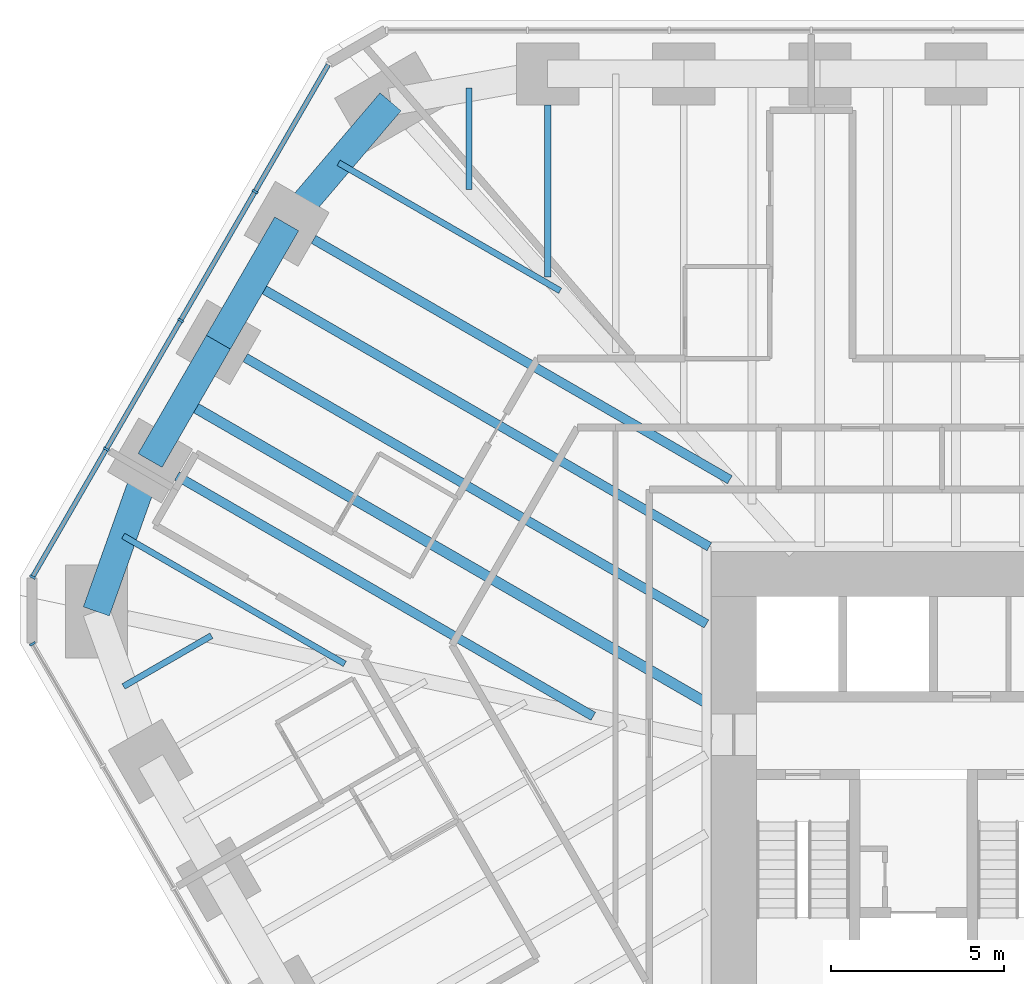
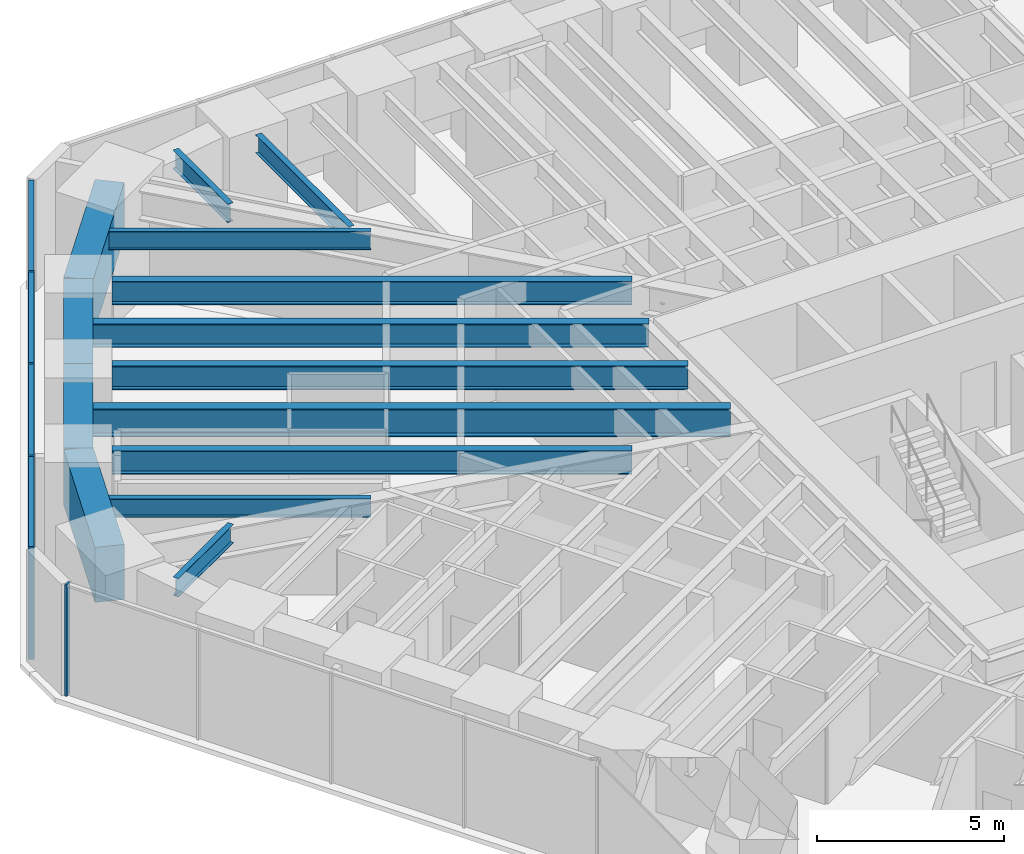
# One storey, part 7 of 16: 14 beams, 9 members, 2 elements without a shape of their own.
"""IFC4 building model written with IfcOpenShell, lengths in metres."""

import ifcopenshell
import ifcopenshell.guid

model = None  # the IFC model being written
_history = None  # IfcOwnerHistory: only IFC2X3 demands one
_inside = {}  # id of a spatial element -> (the spatial element, [elements in it])
_under = {}  # id of a project, library or spatial element -> (it, [spatial elements below it])
_declared = {}  # id of a project -> (the project, [libraries it declares])
_typed = {}  # id of a type object -> (the type object, [elements of that type])
_made_of = {}  # id of a material, layer set ... -> (it, [elements and type objects made of it])


def new_model(schema):
    """Start an empty IFC model of exactly this schema.

    Asked for "IFC4X3", IfcOpenShell would pick the latest addendum, in which some entities
    have other attributes; the version numbers below select the first issue.
    IFC2X3 requires an IfcOwnerHistory on every rooted entity: one is made here for all.
    """
    global model, _history
    if schema == "IFC4X3":
        model = ifcopenshell.file(schema_version=(4, 3, 0, 0))
    else:
        model = ifcopenshell.file(schema=schema)
    _inside.clear()
    _under.clear()
    _declared.clear()
    _typed.clear()
    _made_of.clear()
    _history = None
    if model.schema == "IFC2X3":
        org = make("IfcOrganization", Name="unknown")
        user = make(
            "IfcPersonAndOrganization",
            ThePerson=make("IfcPerson", FamilyName="unknown"),
            TheOrganization=org,
        )
        app = make(
            "IfcApplication",
            ApplicationDeveloper=org,
            Version="unknown",
            ApplicationFullName="unknown",
            ApplicationIdentifier="unknown",
        )
        _history = make(
            "IfcOwnerHistory",
            OwningUser=user,
            OwningApplication=app,
            ChangeAction="ADDED",
            CreationDate=0,
        )
    return model


def make(cls, **values):
    """One entity of the class cls with the attributes given. An attribute that is None is left unset."""
    return model.create_entity(
        cls, **{name: value for name, value in values.items() if value is not None}
    )


def rooted(cls, **values):
    """An entity with a GlobalId (a new one), such as an element, a storey or a relation."""
    return make(cls, GlobalId=ifcopenshell.guid.new(), OwnerHistory=_history, **values)


def si_unit(unit_type, name, prefix=None):
    """IfcSIUnit, for example si_unit("LENGTHUNIT", "METRE", prefix="MILLI")."""
    return make("IfcSIUnit", UnitType=unit_type, Prefix=prefix, Name=name)


def assignment(units):
    """IfcUnitAssignment: the units of a project."""
    return None if units is None else make("IfcUnitAssignment", Units=units)


def point(xyz):
    """IfcCartesianPoint."""
    return None if xyz is None else make("IfcCartesianPoint", Coordinates=xyz)


def direction(xyz):
    """IfcDirection."""
    return None if xyz is None else make("IfcDirection", DirectionRatios=xyz)


def frame(location, z_axis=None, x_axis=None):
    """IfcAxis2Placement3D, a coordinate frame: its origin and axes. An axis left out is left unset."""
    return make(
        "IfcAxis2Placement3D",
        Location=point(location),
        Axis=direction(z_axis),
        RefDirection=direction(x_axis),
    )


def frame_2d(location, x_axis=None):
    """IfcAxis2Placement2D, a coordinate frame in the plane: its origin and x axis."""
    return make(
        "IfcAxis2Placement2D", Location=point(location), RefDirection=direction(x_axis)
    )


def origin():
    """The frame at (0, 0, 0) with its axes left unset."""
    return frame((0.0, 0.0, 0.0))


def origin_2d():
    """The frame at (0, 0) in the plane with its x axis left unset."""
    return frame_2d((0.0, 0.0))


def place(relative_to, where):
    """IfcLocalPlacement: puts the frame where relative to a parent placement (None: the world)."""
    return make(
        "IfcLocalPlacement", PlacementRelTo=relative_to, RelativePlacement=where
    )


def context(
    kind, dimensions, precision=None, world=None, true_north=None, identifier=None
):
    """IfcGeometricRepresentationContext, for example the 3D "Model" context."""
    return make(
        "IfcGeometricRepresentationContext",
        ContextIdentifier=identifier,
        ContextType=kind,
        CoordinateSpaceDimension=dimensions,
        Precision=precision,
        WorldCoordinateSystem=world,
        TrueNorth=true_north,
    )


def subcontext(parent, identifier, kind, view, scale=None):
    """IfcGeometricRepresentationSubContext, for example "Body" below "Model"."""
    return make(
        "IfcGeometricRepresentationSubContext",
        ContextIdentifier=identifier,
        ContextType=kind,
        ParentContext=parent,
        TargetScale=scale,
        TargetView=view,
    )


def project(units=None, contexts=None):
    """IfcProject with its units and contexts."""
    return rooted(
        "IfcProject",
        Name="project",
        RepresentationContexts=contexts,
        UnitsInContext=assignment(units),
    )


def spatial(cls, under=None, at=None, **own):
    """A site, building, storey or space (cls), placed at a placement, below another one or the project."""
    s = rooted(cls, ObjectPlacement=at, **own)
    if under is not None:
        _under.setdefault(under.id(), (under, []))[1].append(s)
    return s


def profile(cls, at=None, kind="AREA", **sizes):
    """A parametric profile (cls). Its sizes go by their IFC names, for example OverallWidth=200.0."""
    return make(cls, ProfileType=kind, Position=at, **sizes)


def rectangle(**sizes):
    """IfcRectangleProfileDef."""
    return profile("IfcRectangleProfileDef", **sizes)


def i_section(**sizes):
    """IfcIShapeProfileDef."""
    return profile("IfcIShapeProfileDef", **sizes)


def extrude(swept, where, along, depth):
    """IfcExtrudedAreaSolid: the profile swept, set in the frame where, extruded along a direction by depth."""
    return make(
        "IfcExtrudedAreaSolid",
        SweptArea=swept,
        Position=where,
        ExtrudedDirection=direction(along),
        Depth=depth,
    )


def shape(context_of_items, identifier, shape_type, items):
    """IfcShapeRepresentation: the items that make up one representation, for example the "Body"."""
    return make(
        "IfcShapeRepresentation",
        ContextOfItems=context_of_items,
        RepresentationIdentifier=identifier,
        RepresentationType=shape_type,
        Items=items,
    )


def material(Name=None, Category=None):
    """IfcMaterial."""
    return make("IfcMaterial", Name=Name, Category=Category)


def material_profile(
    of_material, cross_section, Name=None, Category=None, Priority=None
):
    """IfcMaterialProfile: a cross section and its material."""
    return make(
        "IfcMaterialProfile",
        Name=Name,
        Material=of_material,
        Profile=cross_section,
        Priority=Priority,
        Category=Category,
    )


def profile_set(profiles, Name=None, composite=None):
    """IfcMaterialProfileSet."""
    return make(
        "IfcMaterialProfileSet",
        Name=Name,
        MaterialProfiles=profiles,
        CompositeProfile=composite,
    )


def made_of(thing, what):
    """Note that an element or type object is made of a material, layer set ...; save() writes the relation."""
    if what is not None:
        _made_of.setdefault(what.id(), (what, []))[1].append(thing)
    return thing


def type_object(cls, material=None, **own):
    """A type object (cls), such as IfcWallType, which elements share."""
    return made_of(rooted(cls, **own), material)


def element(
    cls,
    number,
    at=None,
    inside=None,
    cuts=None,
    type_object=None,
    material=None,
    context=None,
    identifier="Body",
    shape_type=None,
    held_by="IfcProductDefinitionShape",
    body=None,
    shapes=None,
    **own,
):
    """One element of the class cls, such as IfcWall. Its Tag is "e" and its number.

    at: its placement. inside: the storey or other place that contains it. cuts: it is an
    opening in that element (IfcRelVoidsElement). A single representation is given by context,
    identifier, shape_type and body (its items); several are given by shapes. held_by: the class
    of the entity that holds the representations. save() writes the other relations.
    """
    e = rooted(cls, Tag="e%d" % number, ObjectPlacement=at, **own)
    if body is not None:
        shapes = [shape(context, identifier, shape_type, body)]
    if shapes is not None:
        e.Representation = make(held_by, Representations=shapes)
    if inside is not None:
        _inside.setdefault(inside.id(), (inside, []))[1].append(e)
    if cuts is not None:
        rooted(
            "IfcRelVoidsElement", RelatingBuildingElement=cuts, RelatedOpeningElement=e
        )
    if type_object is not None:
        _typed.setdefault(type_object.id(), (type_object, []))[1].append(e)
    return made_of(e, material)


def aggregate(whole, parts):
    """IfcRelAggregates: a whole, such as a stair, and the parts it consists of."""
    return rooted("IfcRelAggregates", RelatingObject=whole, RelatedObjects=parts)


def save(model, path):
    """Write the relations noted so far, then the file.

    IfcRelAggregates (storeys below a building ...), IfcRelContainedInSpatialStructure (elements
    in a storey), IfcRelDefinesByType, IfcRelAssociatesMaterial and IfcRelDeclares: one each for
    every whole, place, type object, material and project.
    """
    for whole, parts in _under.values():
        aggregate(whole, parts)
    for where, things in _inside.values():
        rooted(
            "IfcRelContainedInSpatialStructure",
            RelatedElements=things,
            RelatingStructure=where,
        )
    for kind, things in _typed.values():
        rooted("IfcRelDefinesByType", RelatedObjects=things, RelatingType=kind)
    for what, things in _made_of.values():
        rooted("IfcRelAssociatesMaterial", RelatedObjects=things, RelatingMaterial=what)
    for by, libraries in _declared.values():
        rooted("IfcRelDeclares", RelatingContext=by, RelatedDefinitions=libraries)
    model.write(path)


model = new_model("IFC4")

# Units and contexts
model_context = context("Model", 3, precision=1e-05, world=origin(), true_north=direction((0.0, 1.0)))
body_context = subcontext(model_context, "Body", "Model", "MODEL_VIEW")
ifc_project = project(units=[si_unit("LENGTHUNIT", "METRE"), si_unit("AREAUNIT", "SQUARE_METRE"), si_unit("VOLUMEUNIT", "CUBIC_METRE"), si_unit("PLANEANGLEUNIT", "RADIAN"), si_unit("MASSUNIT", "GRAM", prefix="KILO")], contexts=[model_context])

# Site, building, storey
site_placement = place(None, origin())
site = spatial("IfcSite", under=ifc_project, at=site_placement, CompositionType="ELEMENT")
building_placement = place(site_placement, origin())
building = spatial("IfcBuilding", under=site, at=building_placement, Name="Sandreach Pilgrim Tower", CompositionType="ELEMENT")
storey_placement = place(building_placement, frame((0.0, 0.0, 115.800048828125)))
storey = spatial("IfcBuildingStorey", under=building, at=storey_placement, Name="L28", CompositionType="ELEMENT", Elevation=115.800048828125)

# Curtain wall, member
ifc_material_1 = material(Name="Aluminium framed curtain wall", Category="aluminium")
curtain_wall_type = type_object("IfcCurtainWallType", Name="Hotel tower curtain wall", PredefinedType="NOTDEFINED", material=ifc_material_1)
curtain_wall_1_placement = place(storey_placement, origin())
curtain_wall_1 = element("IfcCurtainWall", 1, at=curtain_wall_1_placement, inside=storey, type_object=curtain_wall_type, Name="CW-2 L28 SW", PredefinedType="NOTDEFINED")
ifc_material_2 = material(Name="Aluminium extrusion", Category="aluminium")
ifc_material_profile_1 = material_profile(ifc_material_2, rectangle(XDim=0.06494140625, YDim=0.179931640625, at=origin_2d()), Name="CW-2M 65X180")
ifc_profile_set_1 = profile_set([ifc_material_profile_1], Name="Aluminium extrusion")
member_type_1 = type_object("IfcMemberType", Name="CW-2 mullion", PredefinedType="MULLION", material=ifc_profile_set_1)
member_1_placement = place(storey_placement, frame((-28.70458984375, 4.730224609375, 0.0), z_axis=(0.0, 0.0, 1.0), x_axis=(-0.5, 0.866025403784, 0.0)))
member_1 = element("IfcMember", 2, at=member_1_placement, type_object=member_type_1, Name="CW-2 mullion 10", PredefinedType="MULLION", context=body_context, shape_type="SweptSolid", body=[
    extrude(rectangle(XDim=0.06494140625, YDim=0.179931640625, at=origin_2d()), origin(), (0.0, 0.0, 1.0), 3.639892578125),
])
aggregate(curtain_wall_1, [member_1])

# Curtain wall, members
curtain_wall_2_placement = place(storey_placement, origin())
curtain_wall_2 = element("IfcCurtainWall", 3, at=curtain_wall_2_placement, inside=storey, type_object=curtain_wall_type, Name="CW-2 L28 NW", PredefinedType="NOTDEFINED")
member_2_placement = place(storey_placement, frame((-28.70458984375, 6.66650390625, 0.0), z_axis=(0.0, 0.0, 1.0), x_axis=(0.5, 0.866025403784, 0.0)))
member_2 = element("IfcMember", 4, at=member_2_placement, type_object=member_type_1, Name="CW-2 mullion 1", PredefinedType="MULLION", context=body_context, shape_type="SweptSolid", body=[
    extrude(rectangle(XDim=0.06494140625, YDim=0.179931640625, at=origin_2d()), origin(), (0.0, 0.0, 1.0), 3.639892578125),
])
member_3_placement = place(storey_placement, frame((-26.568115234375, 10.3671875, 0.0), z_axis=(0.0, 0.0, 1.0), x_axis=(0.5, 0.866025403784, 0.0)))
member_3 = element("IfcMember", 5, at=member_3_placement, type_object=member_type_1, Name="CW-2 mullion 2", PredefinedType="MULLION", context=body_context, shape_type="SweptSolid", body=[
    extrude(rectangle(XDim=0.06494140625, YDim=0.179931640625, at=origin_2d()), origin(), (0.0, 0.0, 1.0), 3.639892578125),
])
member_4_placement = place(storey_placement, frame((-24.415283203125, 14.09619140625, 0.0), z_axis=(0.0, 0.0, 1.0), x_axis=(0.5, 0.866025403784, 0.0)))
member_4 = element("IfcMember", 6, at=member_4_placement, type_object=member_type_1, Name="CW-2 mullion 3", PredefinedType="MULLION", context=body_context, shape_type="SweptSolid", body=[
    extrude(rectangle(XDim=0.06494140625, YDim=0.179931640625, at=origin_2d()), origin(), (0.0, 0.0, 1.0), 3.639892578125),
])
member_5_placement = place(storey_placement, frame((-22.262451171875, 17.824951171875, 0.0), z_axis=(0.0, 0.0, 1.0), x_axis=(0.5, 0.866025403784, 0.0)))
member_5 = element("IfcMember", 7, at=member_5_placement, type_object=member_type_1, Name="CW-2 mullion 4", PredefinedType="MULLION", context=body_context, shape_type="SweptSolid", body=[
    extrude(rectangle(XDim=0.06494140625, YDim=0.179931640625, at=origin_2d()), origin(), (0.0, 0.0, 1.0), 3.639892578125),
])
ifc_material_3 = material(Name="Aluminium extrusion", Category="aluminium")
ifc_material_profile_2 = material_profile(ifc_material_3, rectangle(XDim=0.139892578125, YDim=0.070068359375, at=origin_2d()), Name="CW-2T 140X70")
ifc_profile_set_2 = profile_set([ifc_material_profile_2], Name="Aluminium extrusion")
member_type_2 = type_object("IfcMemberType", Name="CW-2 transom", PredefinedType="USERDEFINED", material=ifc_profile_set_2)
member_6_placement = place(storey_placement, frame((-28.6884765625, 6.69482421875, 3.60498046875), z_axis=(0.500038835258, 0.866002981077, 0.0), x_axis=(-0.866002981077, 0.500038835258, 0.0)))
member_6 = element("IfcMember", 8, at=member_6_placement, type_object=member_type_2, Name="CW-2 head transom 1", ObjectType="TRANSOM", PredefinedType="USERDEFINED", context=body_context, shape_type="SweptSolid", body=[
    extrude(rectangle(XDim=0.139892578125, YDim=0.070068359375, at=origin_2d()), origin(), (0.0, 0.0, 1.0), 4.208251953125),
])
member_7_placement = place(storey_placement, frame((-26.5517578125, 10.3955078125, 3.60498046875), z_axis=(0.500021471012, 0.866013007135, 0.0), x_axis=(-0.866013007135, 0.500021471012, 0.0)))
member_7 = element("IfcMember", 9, at=member_7_placement, type_object=member_type_2, Name="CW-2 head transom 2", ObjectType="TRANSOM", PredefinedType="USERDEFINED", context=body_context, shape_type="SweptSolid", body=[
    extrude(rectangle(XDim=0.139892578125, YDim=0.070068359375, at=origin_2d()), origin(), (0.0, 0.0, 1.0), 4.240478515625),
])
member_8_placement = place(storey_placement, frame((-24.39892578125, 14.124267578125, 3.60498046875), z_axis=(0.499996541496, 0.866027400544, 0.0), x_axis=(-0.866027400544, 0.499996541496, 0.0)))
member_8 = element("IfcMember", 10, at=member_8_placement, type_object=member_type_2, Name="CW-2 head transom 3", ObjectType="TRANSOM", PredefinedType="USERDEFINED", context=body_context, shape_type="SweptSolid", body=[
    extrude(rectangle(XDim=0.139892578125, YDim=0.070068359375, at=origin_2d()), origin(), (0.0, 0.0, 1.0), 4.24072265625),
])
member_9_placement = place(storey_placement, frame((-22.24609375, 17.85302734375, 3.60498046875), z_axis=(0.49997020258, 0.86604260665, 0.0), x_axis=(-0.86604260665, 0.49997020258, 0.0)))
member_9 = element("IfcMember", 11, at=member_9_placement, type_object=member_type_2, Name="CW-2 head transom 4", ObjectType="TRANSOM", PredefinedType="USERDEFINED", context=body_context, shape_type="SweptSolid", body=[
    extrude(rectangle(XDim=0.139892578125, YDim=0.070068359375, at=origin_2d()), origin(), (0.0, 0.0, 1.0), 4.208251953125),
])
aggregate(curtain_wall_2, [member_2, member_3, member_4, member_5, member_6, member_7, member_8, member_9])

# Beams
ifc_material_4 = material(Name="Steel ASTM A992 Grade 50", Category="steel")
ifc_material_profile_3 = material_profile(ifc_material_4, i_section(OverallWidth=0.1787109375, OverallDepth=0.60205078125, WebThickness=0.010986328125, FlangeThickness=0.014892578125, at=origin_2d()), Name="W24X62")
ifc_profile_set_3 = profile_set([ifc_material_profile_3], Name="Steel ASTM A992 Grade 50")
beam_type_1 = type_object("IfcBeamType", Name="Floor beam W24X62", PredefinedType="BEAM", material=ifc_profile_set_3)
beam_1_placement = place(storey_placement, frame((-13.789794921875, 20.333740234375, 3.3388671875), z_axis=(0.0, -1.0, 0.0), x_axis=(1.0, 0.0, 0.0)))
element("IfcBeam", 12, at=beam_1_placement, inside=storey, type_object=beam_type_1, Name="BM L28 F01", PredefinedType="BEAM", context=body_context, shape_type="SweptSolid", body=[
    extrude(i_section(OverallWidth=0.1787109375, OverallDepth=0.60205078125, WebThickness=0.010986328125, FlangeThickness=0.014892578125, at=origin_2d()), origin(), (0.0, 0.0, 1.0), 4.9765625),
])
beam_2_placement = place(storey_placement, frame((-26.070556640625, 3.498046875, 3.3388671875), z_axis=(0.866051374412, 0.499955014855, 0.0), x_axis=(-0.499955014855, 0.866051374412, 0.0)))
element("IfcBeam", 13, at=beam_2_placement, inside=storey, type_object=beam_type_1, Name="BM L28 FM34", PredefinedType="BEAM", context=body_context, shape_type="SweptSolid", body=[
    extrude(i_section(OverallWidth=0.1787109375, OverallDepth=0.60205078125, WebThickness=0.010986328125, FlangeThickness=0.014892578125, at=origin_2d()), origin(), (0.0, 0.0, 1.0), 2.938232421875),
])
for number, where, z_axis, x_axis, name in (
    (14, (-26.079345703125, 7.855712890625, 3.3388671875), (0.866025875064, -0.499999183719, 0.0), (0.499999183719, 0.866025875064, 0.0), "BM L28 FM35"),
    (15, (-19.8427734375, 18.65771484375, 3.3388671875), (0.866025875064, -0.499999183719, 0.0), (0.499999183719, 0.866025875064, 0.0), "BM L28 FM38"),
):
    element("IfcBeam", number, at=place(storey_placement, frame(where, z_axis=z_axis, x_axis=x_axis)), inside=storey, type_object=beam_type_1, Name=name, PredefinedType="BEAM", context=body_context, shape_type="SweptSolid", body=[
        extrude(i_section(OverallWidth=0.1787109375, OverallDepth=0.60205078125, WebThickness=0.010986328125, FlangeThickness=0.014892578125, at=origin_2d()), origin(), (0.0, 0.0, 1.0), 7.40771484375),
    ])
beam_3_placement = place(storey_placement, frame((-16.064697265625, 20.828857421875, 3.3388671875), z_axis=(0.0, -1.0, 0.0), x_axis=(1.0, 0.0, 0.0)))
element("IfcBeam", 16, at=beam_3_placement, inside=storey, type_object=beam_type_1, Name="BM L28 FM39", PredefinedType="BEAM", context=body_context, shape_type="SweptSolid", body=[
    extrude(i_section(OverallWidth=0.1787109375, OverallDepth=0.60205078125, WebThickness=0.010986328125, FlangeThickness=0.014892578125, at=origin_2d()), origin(), (0.0, 0.0, 1.0), 2.938232421875),
])
ifc_material_5 = material(Name="Steel ASTM A992 Grade 50", Category="steel")
ifc_material_profile_4 = material_profile(ifc_material_5, i_section(OverallWidth=0.2666015625, OverallDepth=0.761962890625, WebThickness=0.014404296875, FlangeThickness=0.021484375, at=origin_2d()), Name="W30X116")
ifc_profile_set_4 = profile_set([ifc_material_profile_4], Name="Steel ASTM A992 Grade 50")
beam_type_2 = type_object("IfcBeamType", Name="Floor beam W30X116", PredefinedType="BEAM", material=ifc_profile_set_4)
beam_4_placement = place(storey_placement, frame((-24.522216796875, 9.5908203125, 3.259033203125), z_axis=(0.866026649588, -0.499997842199, 0.0), x_axis=(0.499997842199, 0.866026649588, 0.0)))
element("IfcBeam", 17, at=beam_4_placement, inside=storey, type_object=beam_type_2, Name="BM L28 F36", PredefinedType="BEAM", context=body_context, shape_type="SweptSolid", body=[
    extrude(i_section(OverallWidth=0.2666015625, OverallDepth=0.761962890625, WebThickness=0.014404296875, FlangeThickness=0.021484375, at=origin_2d()), origin(), (0.0, 0.0, 1.0), 13.91552734375),
])
beam_5_placement = place(storey_placement, frame((-20.56689453125, 16.44140625, 3.259033203125), z_axis=(0.866022263426, -0.500005439221, 0.0), x_axis=(0.500005439221, 0.866022263426, 0.0)))
element("IfcBeam", 18, at=beam_5_placement, inside=storey, type_object=beam_type_2, Name="BM L28 F38", PredefinedType="BEAM", context=body_context, shape_type="SweptSolid", body=[
    extrude(i_section(OverallWidth=0.2666015625, OverallDepth=0.761962890625, WebThickness=0.014404296875, FlangeThickness=0.021484375, at=origin_2d()), origin(), (0.0, 0.0, 1.0), 13.915283203125),
])
ifc_material_6 = material(Name="Steel ASTM A992 Grade 50", Category="steel")
ifc_material_profile_5 = material_profile(ifc_material_6, i_section(OverallWidth=0.2666015625, OverallDepth=0.77978515625, WebThickness=0.0166015625, FlangeThickness=0.030029296875, at=origin_2d()), Name="W30X148")
ifc_profile_set_5 = profile_set([ifc_material_profile_5], Name="Steel ASTM A992 Grade 50")
beam_type_3 = type_object("IfcBeamType", Name="Floor beam W30X148", PredefinedType="BEAM", material=ifc_profile_set_5)
beam_6_placement = place(storey_placement, frame((-22.544677734375, 13.01611328125, 3.25), z_axis=(0.866029203842, -0.49999341805, 0.0), x_axis=(0.49999341805, 0.866029203842, 0.0)))
element("IfcBeam", 19, at=beam_6_placement, inside=storey, type_object=beam_type_3, Name="BM L28 F37", PredefinedType="BEAM", context=body_context, shape_type="SweptSolid", body=[
    extrude(i_section(OverallWidth=0.2666015625, OverallDepth=0.77978515625, WebThickness=0.0166015625, FlangeThickness=0.030029296875, at=origin_2d()), origin(), (0.0, 0.0, 1.0), 15.416748046875),
])
beam_7_placement = place(storey_placement, frame((-22.335205078125, 15.1787109375, 3.25), z_axis=(0.866028773314, -0.499994163758, 0.0), x_axis=(0.499994163758, 0.866028773314, 0.0)))
element("IfcBeam", 20, at=beam_7_placement, inside=storey, type_object=beam_type_3, Name="BM L28 FM37", PredefinedType="BEAM", context=body_context, shape_type="SweptSolid", body=[
    extrude(i_section(OverallWidth=0.2666015625, OverallDepth=0.77978515625, WebThickness=0.0166015625, FlangeThickness=0.030029296875, at=origin_2d()), origin(), (0.0, 0.0, 1.0), 15.270751953125),
])
ifc_material_7 = material(Name="Steel ASTM A992 Grade 50", Category="steel")
ifc_material_profile_6 = material_profile(ifc_material_7, i_section(OverallWidth=0.3046875, OverallDepth=0.914306640625, WebThickness=0.0166015625, FlangeThickness=0.02587890625, at=origin_2d()), Name="W36X160")
ifc_profile_set_6 = profile_set([ifc_material_profile_6], Name="Steel ASTM A992 Grade 50")
beam_type_4 = type_object("IfcBeamType", Name="Floor beam W36X160", PredefinedType="BEAM", material=ifc_profile_set_6)
beam_8_placement = place(storey_placement, frame((-24.312744140625, 11.75341796875, 3.182861328125), z_axis=(0.866023737483, -0.500002886107, 0.0), x_axis=(0.500002886107, 0.866023737483, 0.0)))
element("IfcBeam", 21, at=beam_8_placement, inside=storey, type_object=beam_type_4, Name="BM L28 FM36", PredefinedType="BEAM", context=body_context, shape_type="SweptSolid", body=[
    extrude(i_section(OverallWidth=0.3046875, OverallDepth=0.914306640625, WebThickness=0.0166015625, FlangeThickness=0.02587890625, at=origin_2d()), origin(), (0.0, 0.0, 1.0), 17.45849609375),
])
ifc_material_8 = material(Name="Concrete 10000 psi", Category="concrete")
ifc_material_profile_7 = material_profile(ifc_material_8, rectangle(XDim=0.800048828125, YDim=1.800048828125, at=origin_2d()), Name="RC800X1800")
ifc_profile_set_7 = profile_set([ifc_material_profile_7], Name="Concrete 10000 psi")
beam_type_5 = type_object("IfcBeamType", Name="Spandrel beam RC800X1800", PredefinedType="SPANDREL", material=ifc_profile_set_7)
beam_9_placement = place(storey_placement, frame((-26.857177734375, 5.67041015625, 2.739990234375), z_axis=(0.335346041399, 0.942095023083, 0.0), x_axis=(-0.942095023083, 0.335346041399, 0.0)))
element("IfcBeam", 22, at=beam_9_placement, inside=storey, type_object=beam_type_5, Name="BM L28 SP35", PredefinedType="SPANDREL", context=body_context, shape_type="SweptSolid", body=[
    extrude(rectangle(XDim=0.800048828125, YDim=1.800048828125, at=origin_2d()), origin(), (0.0, 0.0, 1.0), 4.638916015625),
])
for number, where, z_axis, x_axis, name in (
    (23, (-25.301513671875, 10.040771484375, 2.739990234375), (0.499989616998, 0.866031398331, 0.0), (-0.866031398331, 0.499989616998, 0.0), "BM L28 SP36"),
    (24, (-23.323974609375, 13.466064453125, 2.739990234375), (0.499989616998, 0.866031398331, 0.0), (-0.866031398331, 0.499989616998, 0.0), "BM L28 SP37"),
):
    element("IfcBeam", number, at=place(storey_placement, frame(where, z_axis=z_axis, x_axis=x_axis)), inside=storey, type_object=beam_type_5, Name=name, PredefinedType="SPANDREL", context=body_context, shape_type="SweptSolid", body=[
        extrude(rectangle(XDim=0.800048828125, YDim=1.800048828125, at=origin_2d()), origin(), (0.0, 0.0, 1.0), 3.955078125),
    ])
beam_10_placement = place(storey_placement, frame((-21.346435546875, 16.891357421875, 2.739990234375), z_axis=(0.648208888384, 0.761462564425, 0.0), x_axis=(-0.761462564425, 0.648208888384, 0.0)))
element("IfcBeam", 25, at=beam_10_placement, inside=storey, type_object=beam_type_5, Name="BM L28 SP38", PredefinedType="SPANDREL", context=body_context, shape_type="SweptSolid", body=[
    extrude(rectangle(XDim=0.800048828125, YDim=1.800048828125, at=origin_2d()), origin(), (0.0, 0.0, 1.0), 4.63916015625),
])

save(model, "model.ifc")
